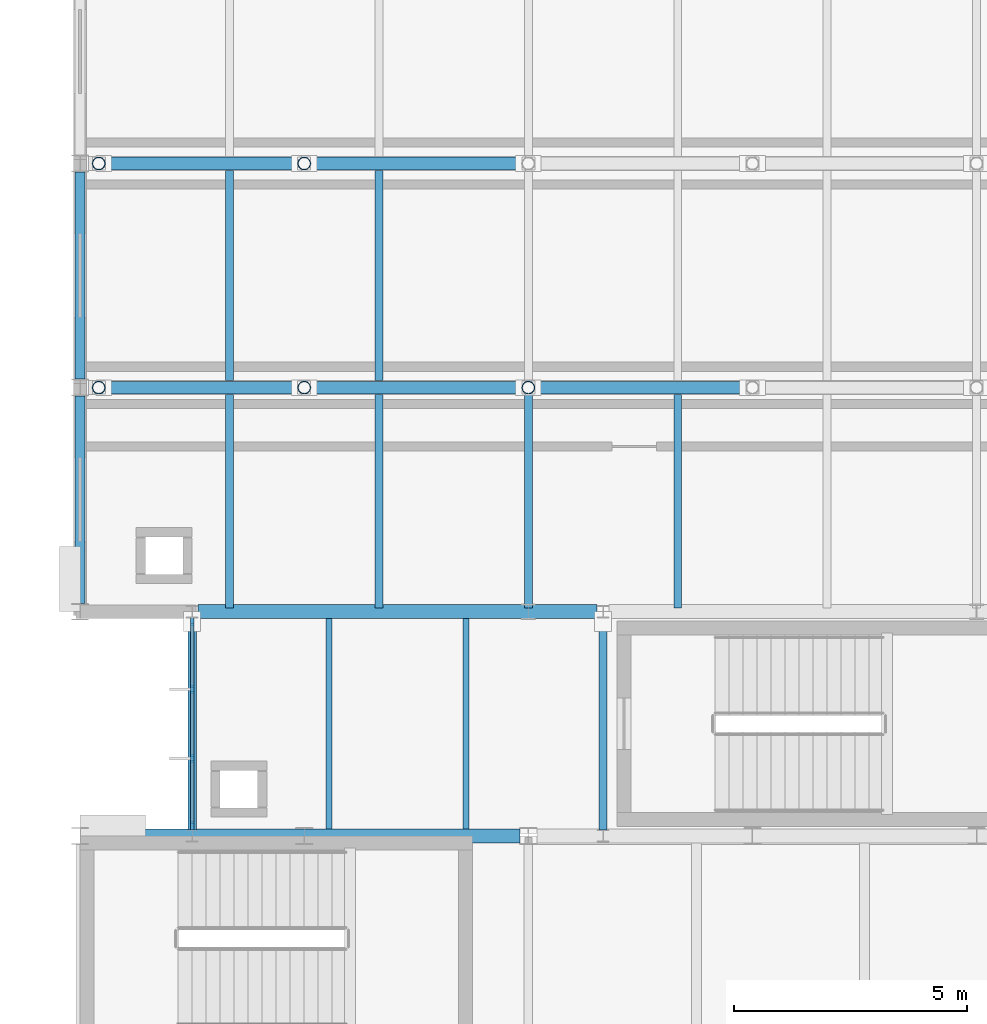
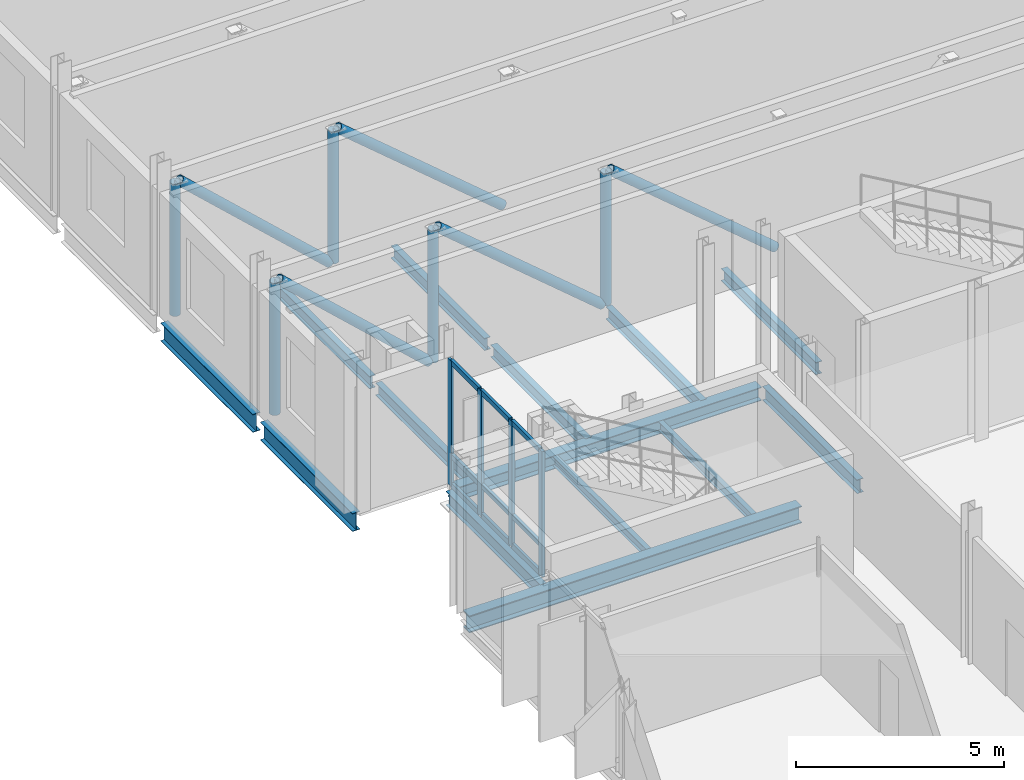
# One storey, part 24 of 110: 23 members, 14 beams, 1 element without a shape of its own.
"""IFC4 building model written with IfcOpenShell, lengths in metres."""

from ifc_helpers import new_model, si_unit, direction, frame, origin, origin_2d, place, context, subcontext, project, spatial, rectangle, hollow_circle, i_section, extrude, material, material_profile, profile_set, type_object, element, aggregate, save


model = new_model("IFC4")

# Units and contexts
model_context = context("Model", 3, precision=1e-05, world=origin(), true_north=direction((0.0, 1.0)))
body_context = subcontext(model_context, "Body", "Model", "MODEL_VIEW")
ifc_project = project(units=[si_unit("LENGTHUNIT", "METRE"), si_unit("AREAUNIT", "SQUARE_METRE"), si_unit("VOLUMEUNIT", "CUBIC_METRE"), si_unit("PLANEANGLEUNIT", "RADIAN"), si_unit("MASSUNIT", "GRAM", prefix="KILO")], contexts=[model_context])

# Site, building, storey
site_placement = place(None, origin())
site = spatial("IfcSite", under=ifc_project, at=site_placement, CompositionType="ELEMENT")
building_placement = place(site_placement, origin())
building = spatial("IfcBuilding", under=site, at=building_placement, Name="Dunescarp Central Library", CompositionType="ELEMENT")
storey_placement = place(building_placement, frame((0.0, 0.0, 9.60009765625)))
storey = spatial("IfcBuildingStorey", under=building, at=storey_placement, Name="L02", CompositionType="ELEMENT", Elevation=9.60009765625)

# Curtain wall, members
ifc_material_1 = material(Name="Marine-grade anodised aluminium 6063-T6", Category="aluminium")
curtain_wall_type = type_object("IfcCurtainWallType", Name="ARC-CW-LINK", PredefinedType="USERDEFINED", material=ifc_material_1)
curtain_wall_placement = place(storey_placement, origin())
curtain_wall = element("IfcCurtainWall", 1, at=curtain_wall_placement, inside=storey, type_object=curtain_wall_type, Name="L02 curtain wall CW-GL4-W-L02", ObjectType="GLAZED_LINK_WALL", PredefinedType="USERDEFINED")
ifc_material_profile_1 = material_profile(ifc_material_1, rectangle(XDim=0.080078125, YDim=0.179931640625, at=origin_2d()), Name="AL 80x180")
ifc_profile_set_1 = profile_set([ifc_material_profile_1], Name="Marine-grade anodised aluminium 6063-T6")
member_type_1 = type_object("IfcMemberType", Name="ARC-CWM-180", PredefinedType="MULLION", material=ifc_profile_set_1)
member_1_placement = place(storey_placement, frame((2.39990234375, 37.014892578125, 0.0), z_axis=(0.0, 0.0, 1.0), x_axis=(-1.0, 0.0, 0.0)))
member_1 = element("IfcMember", 2, at=member_1_placement, type_object=member_type_1, Name="CW-GL4-W-L02 mullion 1", PredefinedType="MULLION", context=body_context, shape_type="SweptSolid", body=[
    extrude(rectangle(XDim=0.080078125, YDim=0.179931640625, at=origin_2d()), origin(), (0.0, 0.0, 1.0), 3.684814453125),
])
member_2_placement = place(storey_placement, frame((2.39990234375, 38.458251953125, 0.0), z_axis=(0.0, 0.0, 1.0), x_axis=(-1.0, 0.0, 0.0)))
member_2 = element("IfcMember", 3, at=member_2_placement, type_object=member_type_1, Name="CW-GL4-W-L02 mullion 2", PredefinedType="MULLION", context=body_context, shape_type="SweptSolid", body=[
    extrude(rectangle(XDim=0.080078125, YDim=0.179931640625, at=origin_2d()), origin(), (0.0, 0.0, 1.0), 3.684814453125),
])
member_3_placement = place(storey_placement, frame((2.39990234375, 39.941650390625, 0.0), z_axis=(0.0, 0.0, 1.0), x_axis=(-1.0, 0.0, 0.0)))
member_3 = element("IfcMember", 4, at=member_3_placement, type_object=member_type_1, Name="CW-GL4-W-L02 mullion 3", PredefinedType="MULLION", context=body_context, shape_type="SweptSolid", body=[
    extrude(rectangle(XDim=0.080078125, YDim=0.179931640625, at=origin_2d()), origin(), (0.0, 0.0, 1.0), 3.684814453125),
])
member_4_placement = place(storey_placement, frame((2.39990234375, 41.385009765625, 0.0), z_axis=(0.0, 0.0, 1.0), x_axis=(-1.0, 0.0, 0.0)))
member_4 = element("IfcMember", 5, at=member_4_placement, type_object=member_type_1, Name="CW-GL4-W-L02 mullion 4", PredefinedType="MULLION", context=body_context, shape_type="SweptSolid", body=[
    extrude(rectangle(XDim=0.080078125, YDim=0.179931640625, at=origin_2d()), origin(), (0.0, 0.0, 1.0), 3.684814453125),
])
ifc_material_profile_2 = material_profile(ifc_material_1, rectangle(XDim=0.080078125, YDim=0.14990234375, at=origin_2d()), Name="AL 80x150")
ifc_profile_set_2 = profile_set([ifc_material_profile_2], Name="Marine-grade anodised aluminium 6063-T6")
member_type_2 = type_object("IfcMemberType", Name="ARC-CWT-150", PredefinedType="USERDEFINED", material=ifc_profile_set_2)
member_5_placement = place(storey_placement, frame((2.39990234375, 37.054931640625, 0.039794921875), z_axis=(0.0, 1.0, 0.0), x_axis=(-1.0, 0.0, 0.0)))
member_5 = element("IfcMember", 6, at=member_5_placement, type_object=member_type_2, Name="CW-GL4-W-L02 transom 1.1", ObjectType="TRANSOM", PredefinedType="USERDEFINED", context=body_context, shape_type="SweptSolid", body=[
    extrude(rectangle(XDim=0.080078125, YDim=0.14990234375, at=origin_2d()), origin(), (0.0, 0.0, 1.0), 1.36328125),
])
member_6_placement = place(storey_placement, frame((2.39990234375, 37.054931640625, 0.89990234375), z_axis=(0.0, 1.0, 0.0), x_axis=(-1.0, 0.0, 0.0)))
member_6 = element("IfcMember", 7, at=member_6_placement, type_object=member_type_2, Name="CW-GL4-W-L02 transom 1.2", ObjectType="TRANSOM", PredefinedType="USERDEFINED", context=body_context, shape_type="SweptSolid", body=[
    extrude(rectangle(XDim=0.080078125, YDim=0.14990234375, at=origin_2d()), origin(), (0.0, 0.0, 1.0), 1.36328125),
])
member_7_placement = place(storey_placement, frame((2.39990234375, 37.054931640625, 3.64501953125), z_axis=(0.0, 1.0, 0.0), x_axis=(-1.0, 0.0, 0.0)))
member_7 = element("IfcMember", 8, at=member_7_placement, type_object=member_type_2, Name="CW-GL4-W-L02 transom 1.3", ObjectType="TRANSOM", PredefinedType="USERDEFINED", context=body_context, shape_type="SweptSolid", body=[
    extrude(rectangle(XDim=0.080078125, YDim=0.14990234375, at=origin_2d()), origin(), (0.0, 0.0, 1.0), 1.36328125),
])
member_8_placement = place(storey_placement, frame((2.39990234375, 38.498291015625, 0.039794921875), z_axis=(0.0, 1.0, 0.0), x_axis=(-1.0, 0.0, 0.0)))
member_8 = element("IfcMember", 9, at=member_8_placement, type_object=member_type_2, Name="CW-GL4-W-L02 transom 2.1", ObjectType="TRANSOM", PredefinedType="USERDEFINED", context=body_context, shape_type="SweptSolid", body=[
    extrude(rectangle(XDim=0.080078125, YDim=0.14990234375, at=origin_2d()), origin(), (0.0, 0.0, 1.0), 1.4033203125),
])
member_9_placement = place(storey_placement, frame((2.39990234375, 38.498291015625, 0.89990234375), z_axis=(0.0, 1.0, 0.0), x_axis=(-1.0, 0.0, 0.0)))
member_9 = element("IfcMember", 10, at=member_9_placement, type_object=member_type_2, Name="CW-GL4-W-L02 transom 2.2", ObjectType="TRANSOM", PredefinedType="USERDEFINED", context=body_context, shape_type="SweptSolid", body=[
    extrude(rectangle(XDim=0.080078125, YDim=0.14990234375, at=origin_2d()), origin(), (0.0, 0.0, 1.0), 1.4033203125),
])
member_10_placement = place(storey_placement, frame((2.39990234375, 38.498291015625, 3.64501953125), z_axis=(0.0, 1.0, 0.0), x_axis=(-1.0, 0.0, 0.0)))
member_10 = element("IfcMember", 11, at=member_10_placement, type_object=member_type_2, Name="CW-GL4-W-L02 transom 2.3", ObjectType="TRANSOM", PredefinedType="USERDEFINED", context=body_context, shape_type="SweptSolid", body=[
    extrude(rectangle(XDim=0.080078125, YDim=0.14990234375, at=origin_2d()), origin(), (0.0, 0.0, 1.0), 1.4033203125),
])
member_11_placement = place(storey_placement, frame((2.39990234375, 39.981689453125, 0.039794921875), z_axis=(0.0, 1.0, 0.0), x_axis=(-1.0, 0.0, 0.0)))
member_11 = element("IfcMember", 12, at=member_11_placement, type_object=member_type_2, Name="CW-GL4-W-L02 transom 3.1", ObjectType="TRANSOM", PredefinedType="USERDEFINED", context=body_context, shape_type="SweptSolid", body=[
    extrude(rectangle(XDim=0.080078125, YDim=0.14990234375, at=origin_2d()), origin(), (0.0, 0.0, 1.0), 1.36328125),
])
member_12_placement = place(storey_placement, frame((2.39990234375, 39.981689453125, 0.89990234375), z_axis=(0.0, 1.0, 0.0), x_axis=(-1.0, 0.0, 0.0)))
member_12 = element("IfcMember", 13, at=member_12_placement, type_object=member_type_2, Name="CW-GL4-W-L02 transom 3.2", ObjectType="TRANSOM", PredefinedType="USERDEFINED", context=body_context, shape_type="SweptSolid", body=[
    extrude(rectangle(XDim=0.080078125, YDim=0.14990234375, at=origin_2d()), origin(), (0.0, 0.0, 1.0), 1.36328125),
])
member_13_placement = place(storey_placement, frame((2.39990234375, 39.981689453125, 3.64501953125), z_axis=(0.0, 1.0, 0.0), x_axis=(-1.0, 0.0, 0.0)))
member_13 = element("IfcMember", 14, at=member_13_placement, type_object=member_type_2, Name="CW-GL4-W-L02 transom 3.3", ObjectType="TRANSOM", PredefinedType="USERDEFINED", context=body_context, shape_type="SweptSolid", body=[
    extrude(rectangle(XDim=0.080078125, YDim=0.14990234375, at=origin_2d()), origin(), (0.0, 0.0, 1.0), 1.36328125),
])
aggregate(curtain_wall, [member_1, member_2, member_3, member_4, member_5, member_6, member_7, member_8, member_9, member_10, member_11, member_12, member_13])

# Beams
ifc_material_2 = material(Name="Steel S355JR", Category="steel")
ifc_material_profile_3 = material_profile(ifc_material_2, i_section(OverallWidth=0.300048828125, OverallDepth=0.389892578125, WebThickness=0.010986328125, FlangeThickness=0.01904296875, at=origin_2d()), Name="HEA 400")
ifc_profile_set_3 = profile_set([ifc_material_profile_3], Name="Steel S355JR")
beam_type_1 = type_object("IfcBeamType", Name="STR-BM-HEA400", PredefinedType="BEAM", material=ifc_profile_set_3)
beam_1_placement = place(storey_placement, frame((2.52490234375, 41.60009765625, -0.405029296875), z_axis=(1.0, 0.0, 0.0), x_axis=(0.0, 1.0, 0.0)))
element("IfcBeam", 15, at=beam_1_placement, inside=storey, type_object=beam_type_1, Name="L02 girder BM-L02-1272", PredefinedType="BEAM", context=body_context, shape_type="SweptSolid", body=[
    extrude(i_section(OverallWidth=0.300048828125, OverallDepth=0.389892578125, WebThickness=0.010986328125, FlangeThickness=0.01904296875, at=origin_2d()), origin(), (0.0, 0.0, 1.0), 8.550048828125),
])
ifc_material_profile_4 = material_profile(ifc_material_2, i_section(OverallWidth=0.300048828125, OverallDepth=0.5, WebThickness=0.014404296875, FlangeThickness=0.028076171875, at=origin_2d()), Name="HEB 500")
ifc_profile_set_4 = profile_set([ifc_material_profile_4], Name="Steel S355JR")
beam_type_2 = type_object("IfcBeamType", Name="STR-BM-HEB500", PredefinedType="BEAM", material=ifc_profile_set_4)
beam_2_placement = place(storey_placement, frame((0.18310546875, 36.800048828125, -0.460205078125), z_axis=(1.0, 0.0, 0.0), x_axis=(0.0, 1.0, 0.0)))
element("IfcBeam", 16, at=beam_2_placement, inside=storey, type_object=beam_type_2, Name="L02 girder BM-L02-0072", PredefinedType="BEAM", context=body_context, shape_type="SweptSolid", body=[
    extrude(i_section(OverallWidth=0.300048828125, OverallDepth=0.5, WebThickness=0.014404296875, FlangeThickness=0.028076171875, at=origin_2d()), origin(), (0.0, 0.0, 1.0), 9.23388671875),
])
ifc_material_profile_5 = material_profile(ifc_material_2, i_section(OverallWidth=0.209228515625, OverallDepth=0.533203125, WebThickness=0.010009765625, FlangeThickness=0.015625, at=origin_2d()), Name="UB 533x210x92")
ifc_profile_set_5 = profile_set([ifc_material_profile_5], Name="Steel S355JR")
beam_type_3 = type_object("IfcBeamType", Name="STR-BM-UB533", PredefinedType="BEAM", material=ifc_profile_set_5)
for number, where, z_axis, x_axis, name in (
    (17, (0.0, 41.781005859375, -0.47607421875), (0.0, 1.0, 0.0), (-1.0, 0.0, 0.0), "L02 edge girder BM-L02-1349"),
    (18, (0.0, 46.5810546875, -0.47607421875), (0.0, 1.0, 0.0), (-1.0, 0.0, 0.0), "L02 edge girder BM-L02-1350"),
):
    element("IfcBeam", number, at=place(storey_placement, frame(where, z_axis=z_axis, x_axis=x_axis)), inside=storey, type_object=beam_type_3, Name=name, PredefinedType="BEAM", context=body_context, shape_type="SweptSolid", body=[
        extrude(i_section(OverallWidth=0.209228515625, OverallDepth=0.533203125, WebThickness=0.010009765625, FlangeThickness=0.015625, at=origin_2d()), origin(), (0.0, 0.0, 1.0), 4.43798828125),
    ])
ifc_material_profile_6 = material_profile(ifc_material_2, i_section(OverallWidth=0.135009765625, OverallDepth=0.27001953125, WebThickness=0.006591796875, FlangeThickness=0.01025390625, at=origin_2d()), Name="IPE 270")
ifc_profile_set_6 = profile_set([ifc_material_profile_6], Name="Steel S355JR")
beam_type_4 = type_object("IfcBeamType", Name="STR-JS-IPE270", PredefinedType="JOIST", material=ifc_profile_set_6)
for number, where, z_axis, x_axis, name in (
    (19, (5.3330078125, 36.947998046875, -0.34521484375), (0.0, 1.0, 0.0), (-1.0, 0.0, 0.0), "L02 joist JS-L02-1275"),
    (20, (8.26708984375, 36.947998046875, -0.34521484375), (0.0, 1.0, 0.0), (-1.0, 0.0, 0.0), "L02 joist JS-L02-1276"),
):
    element("IfcBeam", number, at=place(storey_placement, frame(where, z_axis=z_axis, x_axis=x_axis)), inside=storey, type_object=beam_type_4, Name=name, PredefinedType="JOIST", context=body_context, shape_type="SweptSolid", body=[
        extrude(i_section(OverallWidth=0.135009765625, OverallDepth=0.27001953125, WebThickness=0.006591796875, FlangeThickness=0.01025390625, at=origin_2d()), origin(), (0.0, 0.0, 1.0), 4.50390625),
    ])
ifc_material_profile_7 = material_profile(ifc_material_2, i_section(OverallWidth=0.169921875, OverallDepth=0.360107421875, WebThickness=0.008056640625, FlangeThickness=0.0126953125, at=origin_2d()), Name="IPE 360")
ifc_profile_set_7 = profile_set([ifc_material_profile_7], Name="Steel S355JR")
beam_type_5 = type_object("IfcBeamType", Name="STR-JS-IPE360", PredefinedType="JOIST", material=ifc_profile_set_7)
for number, where, z_axis, x_axis, name in (
    (21, (3.199951171875, 41.68505859375, -0.39013671875), (0.0, 1.0, 0.0), (-1.0, 0.0, 0.0), "L02 joist JS-L02-1357"),
    (22, (6.39990234375, 41.68505859375, -0.39013671875), (0.0, 1.0, 0.0), (-1.0, 0.0, 0.0), "L02 joist JS-L02-1358"),
    (23, (9.60009765625, 41.68505859375, -0.39013671875), (0.0, 1.0, 0.0), (-1.0, 0.0, 0.0), "L02 joist JS-L02-1359"),
    (24, (12.800048828125, 41.68505859375, -0.39013671875), (0.0, 1.0, 0.0), (-1.0, 0.0, 0.0), "L02 joist JS-L02-1360"),
):
    element("IfcBeam", number, at=place(storey_placement, frame(where, z_axis=z_axis, x_axis=x_axis)), inside=storey, type_object=beam_type_5, Name=name, PredefinedType="JOIST", context=body_context, shape_type="SweptSolid", body=[
        extrude(i_section(OverallWidth=0.169921875, OverallDepth=0.360107421875, WebThickness=0.008056640625, FlangeThickness=0.0126953125, at=origin_2d()), origin(), (0.0, 0.0, 1.0), 4.56689453125),
    ])
for number, where, z_axis, x_axis, name in (
    (25, (3.199951171875, 46.548095703125, -0.39013671875), (0.0, 1.0, 0.0), (-1.0, 0.0, 0.0), "L02 joist JS-L02-1365"),
    (26, (6.39990234375, 46.548095703125, -0.39013671875), (0.0, 1.0, 0.0), (-1.0, 0.0, 0.0), "L02 joist JS-L02-1366"),
):
    element("IfcBeam", number, at=place(storey_placement, frame(where, z_axis=z_axis, x_axis=x_axis)), inside=storey, type_object=beam_type_5, Name=name, PredefinedType="JOIST", context=body_context, shape_type="SweptSolid", body=[
        extrude(i_section(OverallWidth=0.169921875, OverallDepth=0.360107421875, WebThickness=0.008056640625, FlangeThickness=0.0126953125, at=origin_2d()), origin(), (0.0, 0.0, 1.0), 4.50390625),
    ])
ifc_material_profile_8 = material_profile(ifc_material_2, i_section(OverallWidth=0.177978515625, OverallDepth=0.406494140625, WebThickness=0.0078125, FlangeThickness=0.0126953125, at=origin_2d()), Name="UB 406x178x60")
ifc_profile_set_8 = profile_set([ifc_material_profile_8], Name="Steel S355JR")
beam_type_6 = type_object("IfcBeamType", Name="STR-SP-UB406", PredefinedType="SPANDREL", material=ifc_profile_set_8)
for number, where, z_axis, x_axis, name in (
    (27, (2.39990234375, 36.927001953125, -0.4130859375), (0.0, 1.0, 0.0), (-1.0, 0.0, 0.0), "L02 girder BM-L02-1273"),
    (28, (11.199951171875, 36.927001953125, -0.4130859375), (0.0, 1.0, 0.0), (-1.0, 0.0, 0.0), "L02 girder BM-L02-1274"),
):
    element("IfcBeam", number, at=place(storey_placement, frame(where, z_axis=z_axis, x_axis=x_axis)), inside=storey, type_object=beam_type_6, Name=name, PredefinedType="SPANDREL", context=body_context, shape_type="SweptSolid", body=[
        extrude(i_section(OverallWidth=0.177978515625, OverallDepth=0.406494140625, WebThickness=0.0078125, FlangeThickness=0.0126953125, at=origin_2d()), origin(), (0.0, 0.0, 1.0), 4.5458984375),
    ])

# Members
ifc_material_3 = material(Name="Steel S355J0", Category="steel")
ifc_material_profile_9 = material_profile(ifc_material_3, hollow_circle(Radius=0.136474609375, WallThickness=0.012451171875, at=origin_2d()), Name="CHS 273x12.5")
ifc_profile_set_9 = profile_set([ifc_material_profile_9], Name="Steel S355J0")
member_type_3 = type_object("IfcMemberType", Name="STR-TT-DIAG", PredefinedType="CHORD", material=ifc_profile_set_9)
member_14_placement = place(storey_placement, frame((0.510009765625, 46.39990234375, 3.661865234375), z_axis=(0.733435505743, 0.0, -0.679759044748), x_axis=(0.0, 1.0, 0.0)))
element("IfcMember", 29, at=member_14_placement, inside=storey, type_object=member_type_3, Name="Transfer truss TT-V4-1 diagonal 1", PredefinedType="CHORD", context=body_context, shape_type="SweptSolid", body=[
    extrude(hollow_circle(Radius=0.136474609375, WallThickness=0.012451171875, at=origin_2d()), origin(), (0.0, 0.0, 1.0), 5.69921875),
])
for number, where, z_axis, x_axis, name in (
    (30, (4.909912109375, 46.39990234375, 3.661865234375), (0.763503596688, 0.0, -0.64580357528), (0.0, 1.0, 0.0), "Transfer truss TT-V4-1 diagonal 2"),
    (31, (9.7099609375, 46.39990234375, 3.661865234375), (0.763503596688, 0.0, -0.64580357528), (0.0, 1.0, 0.0), "Transfer truss TT-V4-1 diagonal 3"),
):
    element("IfcMember", number, at=place(storey_placement, frame(where, z_axis=z_axis, x_axis=x_axis)), inside=storey, type_object=member_type_3, Name=name, PredefinedType="CHORD", context=body_context, shape_type="SweptSolid", body=[
        extrude(hollow_circle(Radius=0.136474609375, WallThickness=0.012451171875, at=origin_2d()), origin(), (0.0, 0.0, 1.0), 5.998779296875),
    ])
member_15_placement = place(storey_placement, frame((0.510009765625, 51.199951171875, 3.661865234375), z_axis=(0.733435505743, 0.0, -0.679759044748), x_axis=(0.0, 1.0, 0.0)))
element("IfcMember", 32, at=member_15_placement, inside=storey, type_object=member_type_3, Name="Transfer truss TT-V4-2 diagonal 1", PredefinedType="CHORD", context=body_context, shape_type="SweptSolid", body=[
    extrude(hollow_circle(Radius=0.136474609375, WallThickness=0.012451171875, at=origin_2d()), origin(), (0.0, 0.0, 1.0), 5.69921875),
])
member_16_placement = place(storey_placement, frame((4.909912109375, 51.199951171875, 3.661865234375), z_axis=(0.763503596688, 0.0, -0.64580357528), x_axis=(0.0, 1.0, 0.0)))
element("IfcMember", 33, at=member_16_placement, inside=storey, type_object=member_type_3, Name="Transfer truss TT-V4-2 diagonal 2", PredefinedType="CHORD", context=body_context, shape_type="SweptSolid", body=[
    extrude(hollow_circle(Radius=0.136474609375, WallThickness=0.012451171875, at=origin_2d()), origin(), (0.0, 0.0, 1.0), 5.998779296875),
])
ifc_material_profile_10 = material_profile(ifc_material_3, hollow_circle(Radius=0.136474609375, WallThickness=0.010009765625, at=origin_2d()), Name="CHS 273x10")
ifc_profile_set_10 = profile_set([ifc_material_profile_10], Name="Steel S355J0")
member_type_4 = type_object("IfcMemberType", Name="STR-TT-VERT", PredefinedType="CHORD", material=ifc_profile_set_10)
for number, where, z_axis, x_axis, name in (
    (34, (0.39990234375, 46.39990234375, -0.215087890625), (0.0, 0.0, 1.0), (1.0, 0.0, 0.0), "Transfer truss TT-V4-1 vertical 1"),
    (35, (4.800048828125, 46.39990234375, -0.215087890625), (0.0, 0.0, 1.0), (1.0, 0.0, 0.0), "Transfer truss TT-V4-1 vertical 2"),
    (36, (9.60009765625, 46.39990234375, -0.215087890625), (0.0, 0.0, 1.0), (1.0, 0.0, 0.0), "Transfer truss TT-V4-1 vertical 3"),
    (37, (0.39990234375, 51.199951171875, -0.215087890625), (0.0, 0.0, 1.0), (1.0, 0.0, 0.0), "Transfer truss TT-V4-2 vertical 1"),
    (38, (4.800048828125, 51.199951171875, -0.215087890625), (0.0, 0.0, 1.0), (1.0, 0.0, 0.0), "Transfer truss TT-V4-2 vertical 2"),
):
    element("IfcMember", number, at=place(storey_placement, frame(where, z_axis=z_axis, x_axis=x_axis)), inside=storey, type_object=member_type_4, Name=name, PredefinedType="CHORD", context=body_context, shape_type="SweptSolid", body=[
        extrude(hollow_circle(Radius=0.136474609375, WallThickness=0.010009765625, at=origin_2d()), origin(), (0.0, 0.0, 1.0), 3.8798828125),
    ])

save(model, "model.ifc")
